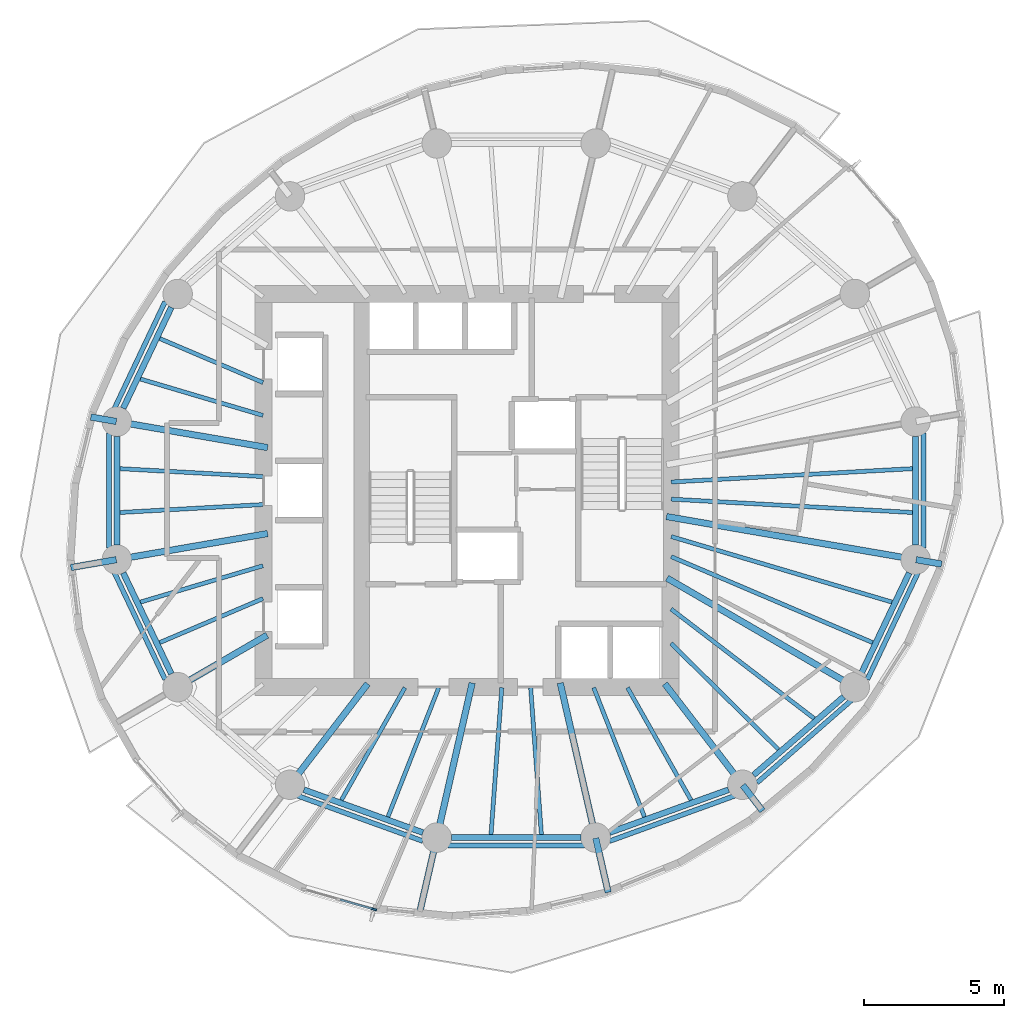
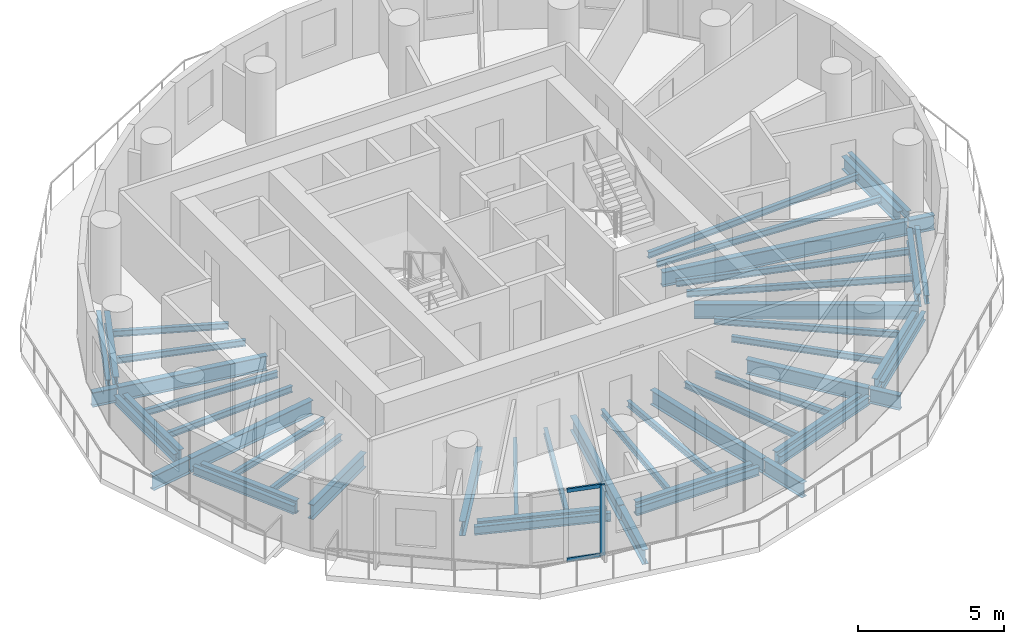
# One storey, part 2 of 12: 51 beams, 3 members, 1 element without a shape of its own.
"""IFC4 building model written with IfcOpenShell, lengths in metres."""

from ifc_helpers import new_model, si_unit, direction, frame, origin, origin_2d, place, context, subcontext, project, spatial, rectangle, i_section, extrude, material, material_profile, profile_set, type_object, element, aggregate, save


model = new_model("IFC4")

# Units and contexts
model_context = context("Model", 3, precision=1e-05, world=origin(), true_north=direction((0.0, 1.0)))
body_context = subcontext(model_context, "Body", "Model", "MODEL_VIEW")
ifc_project = project(units=[si_unit("LENGTHUNIT", "METRE"), si_unit("AREAUNIT", "SQUARE_METRE"), si_unit("VOLUMEUNIT", "CUBIC_METRE"), si_unit("PLANEANGLEUNIT", "RADIAN"), si_unit("MASSUNIT", "GRAM", prefix="KILO")], contexts=[model_context])

# Site, building, storey
site_placement = place(None, origin())
site = spatial("IfcSite", under=ifc_project, at=site_placement, CompositionType="ELEMENT")
building_placement = place(site_placement, origin())
building = spatial("IfcBuilding", under=site, at=building_placement, Name="Veldorim Arch Residences", CompositionType="ELEMENT")
storey_placement = place(building_placement, frame((0.0, 0.0, 142.56005859375)))
storey = spatial("IfcBuildingStorey", under=building, at=storey_placement, Name="L42", CompositionType="ELEMENT", Elevation=142.56005859375)

# Beams
ifc_material_1 = material(Name="Steel S355", Category="steel")
ifc_material_profile_1 = material_profile(ifc_material_1, i_section(OverallWidth=0.2099609375, OverallDepth=0.53662109375, WebThickness=0.0107421875, FlangeThickness=0.017333984375, at=origin_2d()), Name="UB533x210x101")
ifc_profile_set_1 = profile_set([ifc_material_profile_1], Name="Steel S355")
beam_type_1 = type_object("IfcBeamType", Name="Structural Steel Beam UB533x210x101", PredefinedType="BEAM", material=ifc_profile_set_1)
beam_1_placement = place(storey_placement, frame((19.7177734375, 30.5263671875, -0.508544921875), z_axis=(-0.43028577851, -0.902692721147, 0.0), x_axis=(0.902692721147, -0.43028577851, 0.0)))
element("IfcBeam", 1, at=beam_1_placement, inside=storey, type_object=beam_type_1, Name="L42 perimeter ring tie beam 07", PredefinedType="BEAM", context=body_context, shape_type="SweptSolid", body=[
    extrude(i_section(OverallWidth=0.2099609375, OverallDepth=0.53662109375, WebThickness=0.0107421875, FlangeThickness=0.017333984375, at=origin_2d()), origin(), (0.0, 0.0, 1.0), 3.98193359375),
])
beam_2_placement = place(storey_placement, frame((17.778564453125, 25.93310546875, -0.508544921875), z_axis=(0.0, -1.0, 0.0), x_axis=(1.0, 0.0, 0.0)))
element("IfcBeam", 2, at=beam_2_placement, inside=storey, type_object=beam_type_1, Name="L42 perimeter ring tie beam 08", PredefinedType="BEAM", context=body_context, shape_type="SweptSolid", body=[
    extrude(i_section(OverallWidth=0.2099609375, OverallDepth=0.53662109375, WebThickness=0.0107421875, FlangeThickness=0.017333984375, at=origin_2d()), origin(), (0.0, 0.0, 1.0), 3.8662109375),
])
beam_3_placement = place(storey_placement, frame((18.00439453125, 21.068115234375, -0.508544921875), z_axis=(0.43028577851, -0.902692721147, 0.0), x_axis=(0.902692721147, 0.43028577851, 0.0)))
element("IfcBeam", 3, at=beam_3_placement, inside=storey, type_object=beam_type_1, Name="L42 perimeter ring tie beam 09", PredefinedType="BEAM", context=body_context, shape_type="SweptSolid", body=[
    extrude(i_section(OverallWidth=0.2099609375, OverallDepth=0.53662109375, WebThickness=0.0107421875, FlangeThickness=0.017333984375, at=origin_2d()), origin(), (0.0, 0.0, 1.0), 3.98193359375),
])
beam_4_placement = place(storey_placement, frame((24.438232421875, 13.345703125, -0.508544921875), z_axis=(0.940899155006, -0.338686846673, 0.0), x_axis=(0.338686846673, 0.940899155006, 0.0)))
element("IfcBeam", 4, at=beam_4_placement, inside=storey, type_object=beam_type_1, Name="L42 perimeter ring tie beam 11", PredefinedType="BEAM", context=body_context, shape_type="SweptSolid", body=[
    extrude(i_section(OverallWidth=0.2099609375, OverallDepth=0.53662109375, WebThickness=0.0107421875, FlangeThickness=0.017333984375, at=origin_2d()), origin(), (0.0, 0.0, 1.0), 4.50537109375),
])
beam_5_placement = place(storey_placement, frame((29.6962890625, 11.64208984375, -0.508544921875), z_axis=(1.0, 0.0, 0.0), x_axis=(0.0, 1.0, 0.0)))
element("IfcBeam", 5, at=beam_5_placement, inside=storey, type_object=beam_type_1, Name="L42 perimeter ring tie beam 12", PredefinedType="BEAM", context=body_context, shape_type="SweptSolid", body=[
    extrude(i_section(OverallWidth=0.2099609375, OverallDepth=0.53662109375, WebThickness=0.0107421875, FlangeThickness=0.017333984375, at=origin_2d()), origin(), (0.0, 0.0, 1.0), 4.607421875),
])
beam_6_placement = place(storey_placement, frame((35.32275390625, 11.81982421875, -0.508544921875), z_axis=(0.940899155006, 0.338686846673, 0.0), x_axis=(-0.338686846673, 0.940899155006, 0.0)))
element("IfcBeam", 6, at=beam_6_placement, inside=storey, type_object=beam_type_1, Name="L42 perimeter ring tie beam 13", PredefinedType="BEAM", context=body_context, shape_type="SweptSolid", body=[
    extrude(i_section(OverallWidth=0.2099609375, OverallDepth=0.53662109375, WebThickness=0.0107421875, FlangeThickness=0.017333984375, at=origin_2d()), origin(), (0.0, 0.0, 1.0), 4.50537109375),
])
beam_7_placement = place(storey_placement, frame((40.4521484375, 13.867919921875, -0.508544921875), z_axis=(0.754810789581, 0.655942582802, 0.0), x_axis=(-0.655942582802, 0.754810789581, 0.0)))
element("IfcBeam", 7, at=beam_7_placement, inside=storey, type_object=beam_type_1, Name="L42 perimeter ring tie beam 14", PredefinedType="BEAM", context=body_context, shape_type="SweptSolid", body=[
    extrude(i_section(OverallWidth=0.2099609375, OverallDepth=0.53662109375, WebThickness=0.0107421875, FlangeThickness=0.017333984375, at=origin_2d()), origin(), (0.0, 0.0, 1.0), 4.249755859375),
])
beam_8_placement = place(storey_placement, frame((44.2822265625, 17.4736328125, -0.508544921875), z_axis=(0.43028577851, 0.902692721147, 0.0), x_axis=(-0.902692721147, 0.43028577851, 0.0)))
element("IfcBeam", 8, at=beam_8_placement, inside=storey, type_object=beam_type_1, Name="L42 perimeter ring tie beam 15", PredefinedType="BEAM", context=body_context, shape_type="SweptSolid", body=[
    extrude(i_section(OverallWidth=0.2099609375, OverallDepth=0.53662109375, WebThickness=0.0107421875, FlangeThickness=0.017333984375, at=origin_2d()), origin(), (0.0, 0.0, 1.0), 3.98193359375),
])
beam_9_placement = place(storey_placement, frame((46.221435546875, 22.06689453125, -0.508544921875), z_axis=(0.0, 1.0, 0.0), x_axis=(-1.0, 0.0, 0.0)))
element("IfcBeam", 9, at=beam_9_placement, inside=storey, type_object=beam_type_1, Name="L42 perimeter ring tie beam 16", PredefinedType="BEAM", context=body_context, shape_type="SweptSolid", body=[
    extrude(i_section(OverallWidth=0.2099609375, OverallDepth=0.53662109375, WebThickness=0.0107421875, FlangeThickness=0.017333984375, at=origin_2d()), origin(), (0.0, 0.0, 1.0), 3.8662109375),
])
ifc_material_2 = material(Name="Steel S355", Category="steel")
ifc_material_profile_2 = material_profile(ifc_material_2, i_section(OverallWidth=0.22900390625, OverallDepth=0.6123046875, WebThickness=0.011962890625, FlangeThickness=0.01953125, at=origin_2d()), Name="UB610x229x125")
ifc_profile_set_2 = profile_set([ifc_material_profile_2], Name="Steel S355")
beam_type_2 = type_object("IfcBeamType", Name="Structural Steel Beam UB610x229x125", PredefinedType="BEAM", material=ifc_profile_set_2)
beam_10_placement = place(storey_placement, frame((23.147705078125, 25.530029296875, -0.546142578125), z_axis=(-0.985390445301, 0.170310511449, 0.0), x_axis=(-0.170310511449, -0.985390445301, 0.0)))
element("IfcBeam", 10, at=beam_10_placement, inside=storey, type_object=beam_type_2, Name="L42 radial floor girder 08", PredefinedType="BEAM", context=body_context, shape_type="SweptSolid", body=[
    extrude(i_section(OverallWidth=0.22900390625, OverallDepth=0.6123046875, WebThickness=0.011962890625, FlangeThickness=0.01953125, at=origin_2d()), origin(), (0.0, 0.0, 1.0), 5.4287109375),
])
beam_11_placement = place(storey_placement, frame((17.7587890625, 26.46142578125, -0.546142578125), z_axis=(-0.985365065933, 0.170457287435, 0.0), x_axis=(-0.170457287435, -0.985365065933, 0.0)))
element("IfcBeam", 11, at=beam_11_placement, inside=storey, type_object=beam_type_2, Name="L42 radial edge cantilever girder 08", PredefinedType="BEAM", context=body_context, shape_type="SweptSolid", body=[
    extrude(i_section(OverallWidth=0.22900390625, OverallDepth=0.6123046875, WebThickness=0.011962890625, FlangeThickness=0.01953125, at=origin_2d()), origin(), (0.0, 0.0, 1.0), 0.9208984375),
])
beam_12_placement = place(storey_placement, frame((23.147705078125, 22.469970703125, -0.546142578125), z_axis=(-0.985390445301, -0.170310511449, 0.0), x_axis=(0.170310511449, -0.985390445301, 0.0)))
element("IfcBeam", 12, at=beam_12_placement, inside=storey, type_object=beam_type_2, Name="L42 radial floor girder 09", PredefinedType="BEAM", context=body_context, shape_type="SweptSolid", body=[
    extrude(i_section(OverallWidth=0.22900390625, OverallDepth=0.6123046875, WebThickness=0.011962890625, FlangeThickness=0.01953125, at=origin_2d()), origin(), (0.0, 0.0, 1.0), 5.4287109375),
])
beam_13_placement = place(storey_placement, frame((17.7587890625, 21.53857421875, -0.546142578125), z_axis=(-0.985387945346, -0.170324975168, 0.0), x_axis=(0.170324975168, -0.985387945346, 0.0)))
element("IfcBeam", 13, at=beam_13_placement, inside=storey, type_object=beam_type_2, Name="L42 radial edge cantilever girder 09", PredefinedType="BEAM", context=body_context, shape_type="SweptSolid", body=[
    extrude(i_section(OverallWidth=0.22900390625, OverallDepth=0.6123046875, WebThickness=0.011962890625, FlangeThickness=0.01953125, at=origin_2d()), origin(), (0.0, 0.0, 1.0), 1.642578125),
])
beam_14_placement = place(storey_placement, frame((23.129638671875, 18.849609375, -0.546142578125), z_axis=(-0.864794546612, -0.502125872815, 0.0), x_axis=(0.502125872815, -0.864794546612, 0.0)))
element("IfcBeam", 14, at=beam_14_placement, inside=storey, type_object=beam_type_2, Name="L42 radial floor girder 10", PredefinedType="BEAM", context=body_context, shape_type="SweptSolid", body=[
    extrude(i_section(OverallWidth=0.22900390625, OverallDepth=0.6123046875, WebThickness=0.011962890625, FlangeThickness=0.01953125, at=origin_2d()), origin(), (0.0, 0.0, 1.0), 3.6640625),
])
beam_15_placement = place(storey_placement, frame((26.708740234375, 17.118896484375, -0.546142578125), z_axis=(-0.609559199361, -0.792740551804, 0.0), x_axis=(0.792740551804, -0.609559199361, 0.0)))
element("IfcBeam", 15, at=beam_15_placement, inside=storey, type_object=beam_type_2, Name="L42 radial floor girder 11", PredefinedType="BEAM", context=body_context, shape_type="SweptSolid", body=[
    extrude(i_section(OverallWidth=0.22900390625, OverallDepth=0.6123046875, WebThickness=0.011962890625, FlangeThickness=0.01953125, at=origin_2d()), origin(), (0.0, 0.0, 1.0), 4.515380859375),
])
beam_16_placement = place(storey_placement, frame((30.43115234375, 17.146240234375, -0.546142578125), z_axis=(-0.223119342184, -0.974791136164, 0.0), x_axis=(0.974791136164, -0.223119342184, 0.0)))
element("IfcBeam", 16, at=beam_16_placement, inside=storey, type_object=beam_type_2, Name="L42 radial floor girder 12", PredefinedType="BEAM", context=body_context, shape_type="SweptSolid", body=[
    extrude(i_section(OverallWidth=0.22900390625, OverallDepth=0.6123046875, WebThickness=0.011962890625, FlangeThickness=0.01953125, at=origin_2d()), origin(), (0.0, 0.0, 1.0), 5.62646484375),
])
beam_17_placement = place(storey_placement, frame((29.166748046875, 11.62255859375, -0.546142578125), z_axis=(-0.223160890879, -0.974781625177, 0.0), x_axis=(0.974781625177, -0.223160890879, 0.0)))
element("IfcBeam", 17, at=beam_17_placement, inside=storey, type_object=beam_type_2, Name="L42 radial edge cantilever girder 12", PredefinedType="BEAM", context=body_context, shape_type="SweptSolid", body=[
    extrude(i_section(OverallWidth=0.22900390625, OverallDepth=0.6123046875, WebThickness=0.011962890625, FlangeThickness=0.01953125, at=origin_2d()), origin(), (0.0, 0.0, 1.0), 2.76123046875),
])
beam_18_placement = place(storey_placement, frame((33.56884765625, 17.146240234375, -0.546142578125), z_axis=(0.223119342184, -0.974791136164, 0.0), x_axis=(0.974791136164, 0.223119342184, 0.0)))
element("IfcBeam", 18, at=beam_18_placement, inside=storey, type_object=beam_type_2, Name="L42 radial floor girder 13", PredefinedType="BEAM", context=body_context, shape_type="SweptSolid", body=[
    extrude(i_section(OverallWidth=0.22900390625, OverallDepth=0.6123046875, WebThickness=0.011962890625, FlangeThickness=0.01953125, at=origin_2d()), origin(), (0.0, 0.0, 1.0), 5.62646484375),
])
beam_19_placement = place(storey_placement, frame((34.833251953125, 11.62255859375, -0.546142578125), z_axis=(0.223166267833, -0.974780394192, 0.0), x_axis=(0.974780394192, 0.223166267833, 0.0)))
element("IfcBeam", 19, at=beam_19_placement, inside=storey, type_object=beam_type_2, Name="L42 radial edge cantilever girder 13", PredefinedType="BEAM", context=body_context, shape_type="SweptSolid", body=[
    extrude(i_section(OverallWidth=0.22900390625, OverallDepth=0.6123046875, WebThickness=0.011962890625, FlangeThickness=0.01953125, at=origin_2d()), origin(), (0.0, 0.0, 1.0), 1.980224609375),
])
beam_20_placement = place(storey_placement, frame((37.291259765625, 17.118896484375, -0.546142578125), z_axis=(0.609559199361, -0.792740551804, 0.0), x_axis=(0.792740551804, 0.609559199361, 0.0)))
element("IfcBeam", 20, at=beam_20_placement, inside=storey, type_object=beam_type_2, Name="L42 radial floor girder 14", PredefinedType="BEAM", context=body_context, shape_type="SweptSolid", body=[
    extrude(i_section(OverallWidth=0.22900390625, OverallDepth=0.6123046875, WebThickness=0.011962890625, FlangeThickness=0.01953125, at=origin_2d()), origin(), (0.0, 0.0, 1.0), 4.515380859375),
])
beam_21_placement = place(storey_placement, frame((40.068115234375, 13.507568359375, -0.546142578125), z_axis=(0.609587834317, -0.792718532805, 0.0), x_axis=(0.792718532805, 0.609587834317, 0.0)))
element("IfcBeam", 21, at=beam_21_placement, inside=storey, type_object=beam_type_2, Name="L42 radial edge cantilever girder 14", PredefinedType="BEAM", context=body_context, shape_type="SweptSolid", body=[
    extrude(i_section(OverallWidth=0.22900390625, OverallDepth=0.6123046875, WebThickness=0.011962890625, FlangeThickness=0.01953125, at=origin_2d()), origin(), (0.0, 0.0, 1.0), 1.15185546875),
])
beam_22_placement = place(storey_placement, frame((37.370361328125, 20.8818359375, -0.546142578125), z_axis=(0.864793381443, -0.502127879542, 0.0), x_axis=(0.502127879542, 0.864793381443, 0.0)))
element("IfcBeam", 22, at=beam_22_placement, inside=storey, type_object=beam_type_2, Name="L42 radial floor girder 15", PredefinedType="BEAM", context=body_context, shape_type="SweptSolid", body=[
    extrude(i_section(OverallWidth=0.22900390625, OverallDepth=0.6123046875, WebThickness=0.011962890625, FlangeThickness=0.01953125, at=origin_2d()), origin(), (0.0, 0.0, 1.0), 7.71142578125),
])
beam_23_placement = place(storey_placement, frame((37.352294921875, 23.074951171875, -0.546142578125), z_axis=(0.985389398766, -0.170316566427, 0.0), x_axis=(0.170316566427, 0.985389398766, 0.0)))
element("IfcBeam", 23, at=beam_23_placement, inside=storey, type_object=beam_type_2, Name="L42 radial floor girder 16", PredefinedType="BEAM", context=body_context, shape_type="SweptSolid", body=[
    extrude(i_section(OverallWidth=0.22900390625, OverallDepth=0.6123046875, WebThickness=0.011962890625, FlangeThickness=0.01953125, at=origin_2d()), origin(), (0.0, 0.0, 1.0), 8.98046875),
])
beam_24_placement = place(storey_placement, frame((46.2412109375, 21.53857421875, -0.546142578125), z_axis=(0.985365065933, -0.170457287435, 0.0), x_axis=(0.170457287435, 0.985365065933, 0.0)))
element("IfcBeam", 24, at=beam_24_placement, inside=storey, type_object=beam_type_2, Name="L42 radial edge cantilever girder 16", PredefinedType="BEAM", context=body_context, shape_type="SweptSolid", body=[
    extrude(i_section(OverallWidth=0.22900390625, OverallDepth=0.6123046875, WebThickness=0.011962890625, FlangeThickness=0.01953125, at=origin_2d()), origin(), (0.0, 0.0, 1.0), 0.9208984375),
])
ifc_material_3 = material(Name="Steel S355", Category="steel")
ifc_material_profile_3 = material_profile(ifc_material_3, i_section(OverallWidth=0.146484375, OverallDepth=0.256103515625, WebThickness=0.00634765625, FlangeThickness=0.010986328125, at=origin_2d()), Name="UB254x146x37")
ifc_profile_set_3 = profile_set([ifc_material_profile_3], Name="Steel S355")
beam_type_3 = type_object("IfcBeamType", Name="Structural Steel Joist UB254x146x37", PredefinedType="JOIST", material=ifc_profile_set_3)
beam_25_placement = place(storey_placement, frame((22.981689453125, 27.84619140625, -0.3681640625), z_axis=(-0.919823469329, 0.392332493265, 0.0), x_axis=(-0.392332493265, -0.919823469329, 0.0)))
element("IfcBeam", 25, at=beam_25_placement, inside=storey, type_object=beam_type_3, Name="L42 secondary radial floor joist 07-1", PredefinedType="JOIST", context=body_context, shape_type="SweptSolid", body=[
    extrude(i_section(OverallWidth=0.146484375, OverallDepth=0.256103515625, WebThickness=0.00634765625, FlangeThickness=0.010986328125, at=origin_2d()), origin(), (0.0, 0.0, 1.0), 3.993896484375),
])
beam_26_placement = place(storey_placement, frame((22.980712890625, 26.677001953125, -0.3681640625), z_axis=(-0.95868163277, 0.284481154014, 0.0), x_axis=(-0.284481154014, -0.95868163277, 0.0)))
element("IfcBeam", 26, at=beam_26_placement, inside=storey, type_object=beam_type_3, Name="L42 secondary radial floor joist 07-2", PredefinedType="JOIST", context=body_context, shape_type="SweptSolid", body=[
    extrude(i_section(OverallWidth=0.146484375, OverallDepth=0.256103515625, WebThickness=0.00634765625, FlangeThickness=0.010986328125, at=origin_2d()), origin(), (0.0, 0.0, 1.0), 4.54931640625),
])
for number, where, z_axis, x_axis, name in (
    (27, (22.97998046875, 24.498779296875, -0.3681640625), (-0.998472994317, 0.055242009562, 0.0), (-0.055242009562, -0.998472994317, 0.0), "L42 secondary radial floor joist 08-1"),
    (28, (22.97998046875, 23.501220703125, -0.3681640625), (-0.998472994317, -0.055242009562, 0.0), (0.055242009562, -0.998472994317, 0.0), "L42 secondary radial floor joist 08-2"),
):
    element("IfcBeam", number, at=place(storey_placement, frame(where, z_axis=z_axis, x_axis=x_axis)), inside=storey, type_object=beam_type_3, Name=name, PredefinedType="JOIST", context=body_context, shape_type="SweptSolid", body=[
        extrude(i_section(OverallWidth=0.146484375, OverallDepth=0.256103515625, WebThickness=0.00634765625, FlangeThickness=0.010986328125, at=origin_2d()), origin(), (0.0, 0.0, 1.0), 5.10009765625),
    ])
beam_27_placement = place(storey_placement, frame((22.980712890625, 21.322998046875, -0.3681640625), z_axis=(-0.95868163277, -0.284481154014, 0.0), x_axis=(0.284481154014, -0.95868163277, 0.0)))
element("IfcBeam", 29, at=beam_27_placement, inside=storey, type_object=beam_type_3, Name="L42 secondary radial floor joist 09-1", PredefinedType="JOIST", context=body_context, shape_type="SweptSolid", body=[
    extrude(i_section(OverallWidth=0.146484375, OverallDepth=0.256103515625, WebThickness=0.00634765625, FlangeThickness=0.010986328125, at=origin_2d()), origin(), (0.0, 0.0, 1.0), 4.54931640625),
])
beam_28_placement = place(storey_placement, frame((22.981689453125, 20.15380859375, -0.3681640625), z_axis=(-0.919823469329, -0.392332493265, 0.0), x_axis=(0.392332493265, -0.919823469329, 0.0)))
element("IfcBeam", 30, at=beam_28_placement, inside=storey, type_object=beam_type_3, Name="L42 secondary radial floor joist 09-2", PredefinedType="JOIST", context=body_context, shape_type="SweptSolid", body=[
    extrude(i_section(OverallWidth=0.146484375, OverallDepth=0.256103515625, WebThickness=0.00634765625, FlangeThickness=0.010986328125, at=origin_2d()), origin(), (0.0, 0.0, 1.0), 3.993896484375),
])
beam_29_placement = place(storey_placement, frame((28.03662109375, 16.982666015625, -0.3681640625), z_axis=(-0.491815801586, -0.870699269157, 0.0), x_axis=(0.870699269157, -0.491815801586, 0.0)))
element("IfcBeam", 31, at=beam_29_placement, inside=storey, type_object=beam_type_3, Name="L42 secondary radial floor joist 11-1", PredefinedType="JOIST", context=body_context, shape_type="SweptSolid", body=[
    extrude(i_section(OverallWidth=0.146484375, OverallDepth=0.256103515625, WebThickness=0.00634765625, FlangeThickness=0.010986328125, at=origin_2d()), origin(), (0.0, 0.0, 1.0), 4.59814453125),
])
beam_30_placement = place(storey_placement, frame((29.2412109375, 16.9814453125, -0.3681640625), z_axis=(-0.365777738491, -0.930702232739, 0.0), x_axis=(0.930702232739, -0.365777738491, 0.0)))
element("IfcBeam", 32, at=beam_30_placement, inside=storey, type_object=beam_type_3, Name="L42 secondary radial floor joist 11-2", PredefinedType="JOIST", context=body_context, shape_type="SweptSolid", body=[
    extrude(i_section(OverallWidth=0.146484375, OverallDepth=0.256103515625, WebThickness=0.00634765625, FlangeThickness=0.010986328125, at=origin_2d()), origin(), (0.0, 0.0, 1.0), 4.9404296875),
])
for number, where, z_axis, x_axis, name in (
    (33, (31.48583984375, 16.97998046875, -0.3681640625), (-0.073060364166, -0.997327520521, 0.0), (0.997327520521, -0.073060364166, 0.0), "L42 secondary radial floor joist 12-1"),
    (34, (32.51416015625, 16.97998046875, -0.3681640625), (0.073060364166, -0.997327520521, 0.0), (0.997327520521, 0.073060364166, 0.0), "L42 secondary radial floor joist 12-2"),
):
    element("IfcBeam", number, at=place(storey_placement, frame(where, z_axis=z_axis, x_axis=x_axis)), inside=storey, type_object=beam_type_3, Name=name, PredefinedType="JOIST", context=body_context, shape_type="SweptSolid", body=[
        extrude(i_section(OverallWidth=0.146484375, OverallDepth=0.256103515625, WebThickness=0.00634765625, FlangeThickness=0.010986328125, at=origin_2d()), origin(), (0.0, 0.0, 1.0), 5.242919921875),
    ])
beam_31_placement = place(storey_placement, frame((34.7587890625, 16.9814453125, -0.3681640625), z_axis=(0.365777738491, -0.930702232739, 0.0), x_axis=(0.930702232739, 0.365777738491, 0.0)))
element("IfcBeam", 35, at=beam_31_placement, inside=storey, type_object=beam_type_3, Name="L42 secondary radial floor joist 13-1", PredefinedType="JOIST", context=body_context, shape_type="SweptSolid", body=[
    extrude(i_section(OverallWidth=0.146484375, OverallDepth=0.256103515625, WebThickness=0.00634765625, FlangeThickness=0.010986328125, at=origin_2d()), origin(), (0.0, 0.0, 1.0), 4.9404296875),
])
beam_32_placement = place(storey_placement, frame((35.96337890625, 16.982666015625, -0.3681640625), z_axis=(0.491815801586, -0.870699269157, 0.0), x_axis=(0.870699269157, 0.491815801586, 0.0)))
element("IfcBeam", 36, at=beam_32_placement, inside=storey, type_object=beam_type_3, Name="L42 secondary radial floor joist 13-2", PredefinedType="JOIST", context=body_context, shape_type="SweptSolid", body=[
    extrude(i_section(OverallWidth=0.146484375, OverallDepth=0.256103515625, WebThickness=0.00634765625, FlangeThickness=0.010986328125, at=origin_2d()), origin(), (0.0, 0.0, 1.0), 4.59814453125),
])
beam_33_placement = place(storey_placement, frame((37.51416015625, 18.556884765625, -0.3681640625), z_axis=(0.711703457158, -0.702480027523, 0.0), x_axis=(0.702480027523, 0.711703457158, 0.0)))
element("IfcBeam", 37, at=beam_33_placement, inside=storey, type_object=beam_type_3, Name="L42 secondary radial floor joist 14-1", PredefinedType="JOIST", context=body_context, shape_type="SweptSolid", body=[
    extrude(i_section(OverallWidth=0.146484375, OverallDepth=0.256103515625, WebThickness=0.00634765625, FlangeThickness=0.010986328125, at=origin_2d()), origin(), (0.0, 0.0, 1.0), 5.373291015625),
])
beam_34_placement = place(storey_placement, frame((37.515869140625, 19.780517578125, -0.3681640625), z_axis=(0.794267053144, -0.607568801281, 0.0), x_axis=(0.607568801281, 0.794267053144, 0.0)))
element("IfcBeam", 38, at=beam_34_placement, inside=storey, type_object=beam_type_3, Name="L42 secondary radial floor joist 14-2", PredefinedType="JOIST", context=body_context, shape_type="SweptSolid", body=[
    extrude(i_section(OverallWidth=0.146484375, OverallDepth=0.256103515625, WebThickness=0.00634765625, FlangeThickness=0.010986328125, at=origin_2d()), origin(), (0.0, 0.0, 1.0), 6.412841796875),
])
beam_35_placement = place(storey_placement, frame((37.518310546875, 21.646484375, -0.3681640625), z_axis=(0.919831795434, -0.39231297214, 0.0), x_axis=(0.39231297214, 0.919831795434, 0.0)))
element("IfcBeam", 39, at=beam_35_placement, inside=storey, type_object=beam_type_3, Name="L42 secondary radial floor joist 15-1", PredefinedType="JOIST", context=body_context, shape_type="SweptSolid", body=[
    extrude(i_section(OverallWidth=0.146484375, OverallDepth=0.256103515625, WebThickness=0.00634765625, FlangeThickness=0.010986328125, at=origin_2d()), origin(), (0.0, 0.0, 1.0), 7.798828125),
])
beam_36_placement = place(storey_placement, frame((37.519287109375, 22.36181640625, -0.3681640625), z_axis=(0.958674276305, -0.284505943614, 0.0), x_axis=(0.284505943614, 0.958674276305, 0.0)))
element("IfcBeam", 40, at=beam_36_placement, inside=storey, type_object=beam_type_3, Name="L42 secondary radial floor joist 15-2", PredefinedType="JOIST", context=body_context, shape_type="SweptSolid", body=[
    extrude(i_section(OverallWidth=0.146484375, OverallDepth=0.256103515625, WebThickness=0.00634765625, FlangeThickness=0.010986328125, at=origin_2d()), origin(), (0.0, 0.0, 1.0), 8.2001953125),
])
for number, where, z_axis, x_axis, name in (
    (41, (37.52001953125, 23.694580078125, -0.3681640625), (0.998474809964, -0.055209182821, 0.0), (0.055209182821, 0.998474809964, 0.0), "L42 secondary radial floor joist 16-1"),
    (42, (37.52001953125, 24.305419921875, -0.3681640625), (0.998474809964, 0.055209182821, 0.0), (-0.055209182821, 0.998474809964, 0.0), "L42 secondary radial floor joist 16-2"),
):
    element("IfcBeam", number, at=place(storey_placement, frame(where, z_axis=z_axis, x_axis=x_axis)), inside=storey, type_object=beam_type_3, Name=name, PredefinedType="JOIST", context=body_context, shape_type="SweptSolid", body=[
        extrude(i_section(OverallWidth=0.146484375, OverallDepth=0.256103515625, WebThickness=0.00634765625, FlangeThickness=0.010986328125, at=origin_2d()), origin(), (0.0, 0.0, 1.0), 8.60546875),
    ])
ifc_material_4 = material(Name="Steel S355", Category="steel")
ifc_material_profile_4 = material_profile(ifc_material_4, i_section(OverallWidth=0.172119140625, OverallDepth=0.35791015625, WebThickness=0.008056640625, FlangeThickness=0.012939453125, at=origin_2d()), Name="UB356x171x57")
ifc_profile_set_4 = profile_set([ifc_material_profile_4], Name="Steel S355")
beam_type_4 = type_object("IfcBeamType", Name="Structural Steel Spandrel UB356x171x57", PredefinedType="SPANDREL", material=ifc_profile_set_4)
beam_37_placement = place(storey_placement, frame((19.49609375, 30.727783203125, -0.43896484375), z_axis=(-0.428579957662, -0.903503857153, 0.0), x_axis=(0.903503857153, -0.428579957662, 0.0)))
element("IfcBeam", 43, at=beam_37_placement, inside=storey, type_object=beam_type_4, Name="L42 perimeter chord spandrel beam 07", PredefinedType="SPANDREL", context=body_context, shape_type="SweptSolid", body=[
    extrude(i_section(OverallWidth=0.172119140625, OverallDepth=0.35791015625, WebThickness=0.008056640625, FlangeThickness=0.012939453125, at=origin_2d()), origin(), (0.0, 0.0, 1.0), 4.209228515625),
])
beam_38_placement = place(storey_placement, frame((17.494140625, 26.04541015625, -0.43896484375), z_axis=(0.0, -1.0, 0.0), x_axis=(1.0, 0.0, 0.0)))
element("IfcBeam", 44, at=beam_38_placement, inside=storey, type_object=beam_type_4, Name="L42 perimeter chord spandrel beam 08", PredefinedType="SPANDREL", context=body_context, shape_type="SweptSolid", body=[
    extrude(i_section(OverallWidth=0.172119140625, OverallDepth=0.35791015625, WebThickness=0.008056640625, FlangeThickness=0.012939453125, at=origin_2d()), origin(), (0.0, 0.0, 1.0), 4.0908203125),
])
beam_39_placement = place(storey_placement, frame((17.692138671875, 21.0751953125, -0.43896484375), z_axis=(0.428579957662, -0.903503857153, 0.0), x_axis=(0.903503857153, 0.428579957662, 0.0)))
element("IfcBeam", 45, at=beam_39_placement, inside=storey, type_object=beam_type_4, Name="L42 perimeter chord spandrel beam 09", PredefinedType="SPANDREL", context=body_context, shape_type="SweptSolid", body=[
    extrude(i_section(OverallWidth=0.172119140625, OverallDepth=0.35791015625, WebThickness=0.008056640625, FlangeThickness=0.012939453125, at=origin_2d()), origin(), (0.0, 0.0, 1.0), 4.209228515625),
])
beam_40_placement = place(storey_placement, frame((24.20263671875, 13.13720703125, -0.43896484375), z_axis=(0.940212553113, -0.340588248429, 0.0), x_axis=(0.340588248429, 0.940212553113, 0.0)))
element("IfcBeam", 46, at=beam_40_placement, inside=storey, type_object=beam_type_4, Name="L42 perimeter chord spandrel beam 11", PredefinedType="SPANDREL", context=body_context, shape_type="SweptSolid", body=[
    extrude(i_section(OverallWidth=0.172119140625, OverallDepth=0.35791015625, WebThickness=0.008056640625, FlangeThickness=0.012939453125, at=origin_2d()), origin(), (0.0, 0.0, 1.0), 4.75390625),
])
beam_41_placement = place(storey_placement, frame((29.56884765625, 11.360595703125, -0.43896484375), z_axis=(1.0, 0.0, 0.0), x_axis=(0.0, 1.0, 0.0)))
element("IfcBeam", 47, at=beam_41_placement, inside=storey, type_object=beam_type_4, Name="L42 perimeter chord spandrel beam 12", PredefinedType="SPANDREL", context=body_context, shape_type="SweptSolid", body=[
    extrude(i_section(OverallWidth=0.172119140625, OverallDepth=0.35791015625, WebThickness=0.008056640625, FlangeThickness=0.012939453125, at=origin_2d()), origin(), (0.0, 0.0, 1.0), 4.8623046875),
])
beam_42_placement = place(storey_placement, frame((35.32763671875, 11.51806640625, -0.43896484375), z_axis=(0.940212553113, 0.340588248429, 0.0), x_axis=(-0.340588248429, 0.940212553113, 0.0)))
element("IfcBeam", 48, at=beam_42_placement, inside=storey, type_object=beam_type_4, Name="L42 perimeter chord spandrel beam 13", PredefinedType="SPANDREL", context=body_context, shape_type="SweptSolid", body=[
    extrude(i_section(OverallWidth=0.172119140625, OverallDepth=0.35791015625, WebThickness=0.008056640625, FlangeThickness=0.012939453125, at=origin_2d()), origin(), (0.0, 0.0, 1.0), 4.75390625),
])
beam_43_placement = place(storey_placement, frame((40.57958984375, 13.5986328125, -0.43896484375), z_axis=(0.753014748982, 0.658003638148, 0.0), x_axis=(-0.658003638148, 0.753014748982, 0.0)))
element("IfcBeam", 49, at=beam_43_placement, inside=storey, type_object=beam_type_4, Name="L42 perimeter chord spandrel beam 14", PredefinedType="SPANDREL", context=body_context, shape_type="SweptSolid", body=[
    extrude(i_section(OverallWidth=0.172119140625, OverallDepth=0.35791015625, WebThickness=0.008056640625, FlangeThickness=0.012939453125, at=origin_2d()), origin(), (0.0, 0.0, 1.0), 4.486572265625),
])
beam_44_placement = place(storey_placement, frame((44.50390625, 17.272216796875, -0.43896484375), z_axis=(0.428579957662, 0.903503857153, 0.0), x_axis=(-0.903503857153, 0.428579957662, 0.0)))
element("IfcBeam", 50, at=beam_44_placement, inside=storey, type_object=beam_type_4, Name="L42 perimeter chord spandrel beam 15", PredefinedType="SPANDREL", context=body_context, shape_type="SweptSolid", body=[
    extrude(i_section(OverallWidth=0.172119140625, OverallDepth=0.35791015625, WebThickness=0.008056640625, FlangeThickness=0.012939453125, at=origin_2d()), origin(), (0.0, 0.0, 1.0), 4.209228515625),
])
beam_45_placement = place(storey_placement, frame((46.505859375, 21.95458984375, -0.43896484375), z_axis=(0.0, 1.0, 0.0), x_axis=(-1.0, 0.0, 0.0)))
element("IfcBeam", 51, at=beam_45_placement, inside=storey, type_object=beam_type_4, Name="L42 perimeter chord spandrel beam 16", PredefinedType="SPANDREL", context=body_context, shape_type="SweptSolid", body=[
    extrude(i_section(OverallWidth=0.172119140625, OverallDepth=0.35791015625, WebThickness=0.008056640625, FlangeThickness=0.012939453125, at=origin_2d()), origin(), (0.0, 0.0, 1.0), 4.0908203125),
])

# Curtain wall, members
ifc_material_5 = material(Name="Aluminium", Category="aluminium")
curtain_wall_type = type_object("IfcCurtainWallType", Name="Zone 3 High-Wind Unitised Curtain Wall", PredefinedType="NOTDEFINED", material=ifc_material_5)
curtain_wall_placement = place(storey_placement, origin())
curtain_wall = element("IfcCurtainWall", 52, at=curtain_wall_placement, inside=storey, type_object=curtain_wall_type, Name="L42 unitised curtain wall bay 22", PredefinedType="NOTDEFINED")
ifc_material_6 = material(Name="Aluminium", Category="aluminium")
ifc_material_profile_5 = material_profile(ifc_material_6, rectangle(XDim=0.070068359375, YDim=0.179931640625, at=origin_2d()), Name="ALU_MUL_70x180")
ifc_profile_set_5 = profile_set([ifc_material_profile_5], Name="Aluminium")
member_type_1 = type_object("IfcMemberType", Name="Zone 3 High-Wind Unitised Curtain Wall Mullion 70x180", PredefinedType="MULLION", material=ifc_profile_set_5)
member_1_placement = place(storey_placement, frame((26.938232421875, 9.088134765625, 0.0), z_axis=(0.0, 0.0, 1.0), x_axis=(-0.273550022991, -0.961857777908, 0.0)))
member_1 = element("IfcMember", 53, at=member_1_placement, type_object=member_type_1, Name="CW-Z3 mullion 1", PredefinedType="MULLION", context=body_context, shape_type="SweptSolid", body=[
    extrude(rectangle(XDim=0.070068359375, YDim=0.179931640625, at=origin_2d()), origin(), (0.0, 0.0, 1.0), 2.9599609375),
])
ifc_material_7 = material(Name="Aluminium", Category="aluminium")
ifc_material_profile_6 = material_profile(ifc_material_7, rectangle(XDim=0.070068359375, YDim=0.155029296875, at=origin_2d()), Name="ALU_TRN_70x155")
ifc_profile_set_6 = profile_set([ifc_material_profile_6], Name="Aluminium")
member_type_2 = type_object("IfcMemberType", Name="Zone 3 High-Wind Unitised Curtain Wall Transom 70x155", PredefinedType="USERDEFINED", material=ifc_profile_set_6)
member_2_placement = place(storey_placement, frame((26.904541015625, 9.09765625, 0.034912109375), z_axis=(-0.961838928822, 0.273616291553, 0.0), x_axis=(-0.273616291553, -0.961838928822, 0.0)))
member_2 = element("IfcMember", 54, at=member_2_placement, type_object=member_type_2, Name="CW-Z3 transom 1.1", ObjectType="TRANSOM", PredefinedType="USERDEFINED", context=body_context, shape_type="SweptSolid", body=[
    extrude(rectangle(XDim=0.070068359375, YDim=0.155029296875, at=origin_2d()), origin(), (0.0, 0.0, 1.0), 1.22607421875),
])
member_3_placement = place(storey_placement, frame((26.904541015625, 9.09765625, 2.925048828125), z_axis=(-0.961838928822, 0.273616291553, 0.0), x_axis=(-0.273616291553, -0.961838928822, 0.0)))
member_3 = element("IfcMember", 55, at=member_3_placement, type_object=member_type_2, Name="CW-Z3 transom 1.2", ObjectType="TRANSOM", PredefinedType="USERDEFINED", context=body_context, shape_type="SweptSolid", body=[
    extrude(rectangle(XDim=0.070068359375, YDim=0.155029296875, at=origin_2d()), origin(), (0.0, 0.0, 1.0), 1.22607421875),
])
aggregate(curtain_wall, [member_1, member_2, member_3])

save(model, "model.ifc")
